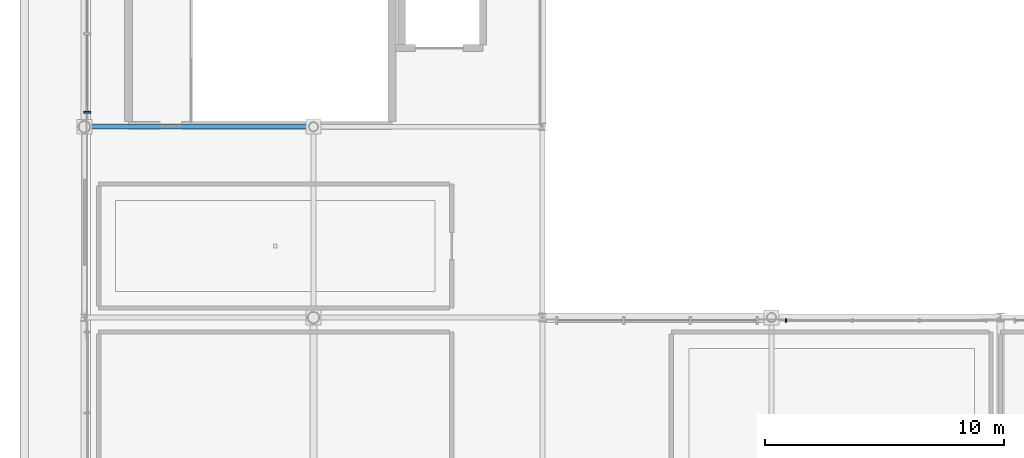
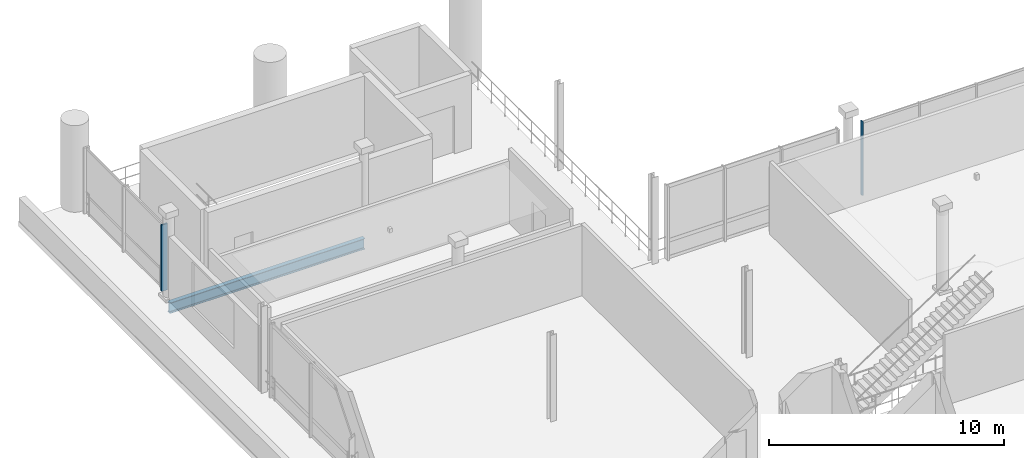
# One storey, part 17 of 59: 2 members, 1 beam, 2 elements without a shape of their own.
"""IFC4 building model written with IfcOpenShell, lengths in metres."""

from ifc_helpers import new_model, si_unit, direction, frame, origin, origin_2d, place, context, subcontext, project, spatial, rectangle, i_section, extrude, material, material_profile, profile_set, type_object, element, aggregate, save


model = new_model("IFC4")

# Units and contexts
model_context = context("Model", 3, precision=1e-05, world=origin(), true_north=direction((0.0, 1.0)))
body_context = subcontext(model_context, "Body", "Model", "MODEL_VIEW")
ifc_project = project(units=[si_unit("LENGTHUNIT", "METRE"), si_unit("AREAUNIT", "SQUARE_METRE"), si_unit("VOLUMEUNIT", "CUBIC_METRE"), si_unit("PLANEANGLEUNIT", "RADIAN"), si_unit("MASSUNIT", "GRAM", prefix="KILO")], contexts=[model_context])

# Site, building, storey
site_placement = place(None, origin())
site = spatial("IfcSite", under=ifc_project, at=site_placement, CompositionType="ELEMENT")
building_placement = place(site_placement, origin())
building = spatial("IfcBuilding", under=site, at=building_placement, Name="Danafjord Basin Convention Centre", CompositionType="ELEMENT")
storey_placement = place(building_placement, frame((0.0, 0.0, 15.89990234375)))
storey = spatial("IfcBuildingStorey", under=building, at=storey_placement, Name="L03", CompositionType="ELEMENT", Elevation=15.89990234375)

# Beam
ifc_material_1 = material(Name="Steel S355", Category="steel")
ifc_material_profile_1 = material_profile(ifc_material_1, i_section(OverallWidth=0.2099609375, OverallDepth=0.550048828125, WebThickness=0.010986328125, FlangeThickness=0.01708984375, FilletRadius=0.02392578125, at=origin_2d()), Name="IPE 550")
ifc_profile_set_1 = profile_set([ifc_material_profile_1], Name="Steel S355")
beam_type = type_object("IfcBeamType", Name="BEAM-BM-IPE550", PredefinedType="BEAM", material=ifc_profile_set_1)
beam_placement = place(storey_placement, frame((0.0, 48.0, -0.5048828125), z_axis=(1.0, 0.0, 0.0), x_axis=(0.0, 1.0, 0.0)))
element("IfcBeam", 1, at=beam_placement, inside=storey, type_object=beam_type, Name="L03 girder BM-IPE550", PredefinedType="BEAM", context=body_context, shape_type="SweptSolid", body=[
    extrude(i_section(OverallWidth=0.2099609375, OverallDepth=0.550048828125, WebThickness=0.010986328125, FlangeThickness=0.01708984375, FilletRadius=0.02392578125, at=origin_2d()), origin(), (0.0, 0.0, 1.0), 9.60009765625),
])

# Curtain wall, member
ifc_material_2 = material(Name="Anodised aluminium and triple glazing", Category="aluminium")
curtain_wall_type = type_object("IfcCurtainWallType", Name="CW-CW-TERR", PredefinedType="NOTDEFINED", material=ifc_material_2)
curtain_wall_1_placement = place(storey_placement, origin())
curtain_wall_1 = element("IfcCurtainWall", 2, at=curtain_wall_1_placement, inside=storey, type_object=curtain_wall_type, Name="L03 CW-TERR unitised curtain wall bay 75", PredefinedType="NOTDEFINED")
ifc_material_3 = material(Name="Anodised aluminium EN AW-6060", Category="aluminium")
ifc_material_profile_2 = material_profile(ifc_material_3, rectangle(XDim=0.06005859375, YDim=0.139892578125, at=origin_2d()), Name="MULL 60x140")
ifc_profile_set_2 = profile_set([ifc_material_profile_2], Name="Anodised aluminium EN AW-6060")
member_type_1 = type_object("IfcMemberType", Name="MEM-ML-140", PredefinedType="MULLION", material=ifc_profile_set_2)
member_1_placement = place(storey_placement, frame((29.39990234375, 39.8798828125, -0.02490234375), z_axis=(0.0, 0.0, 1.0), x_axis=(-1.0, 0.0, 0.0)))
member_1 = element("IfcMember", 3, at=member_1_placement, type_object=member_type_1, Name="CW-L03-075 mullion 4", PredefinedType="MULLION", context=body_context, shape_type="SweptSolid", body=[
    extrude(rectangle(XDim=0.06005859375, YDim=0.139892578125, at=origin_2d()), origin(), (0.0, 0.0, 1.0), 3.841064453125),
])
aggregate(curtain_wall_1, [member_1])

curtain_wall_2_placement = place(storey_placement, origin())
curtain_wall_2 = element("IfcCurtainWall", 4, at=curtain_wall_2_placement, inside=storey, type_object=curtain_wall_type, Name="L03 CW-TERR unitised curtain wall bay 84", PredefinedType="NOTDEFINED")
ifc_material_profile_3 = material_profile(ifc_material_3, rectangle(XDim=0.080078125, YDim=0.300048828125, at=origin_2d()), Name="MULL 80x300")
ifc_profile_set_3 = profile_set([ifc_material_profile_3], Name="Anodised aluminium EN AW-6060")
member_type_2 = type_object("IfcMemberType", Name="MEM-ML-300", PredefinedType="MULLION", material=ifc_profile_set_3)
member_2_placement = place(storey_placement, frame((0.1201171875, 48.60009765625, -0.02490234375), z_axis=(0.0, 0.0, 1.0), x_axis=(0.0, -1.0, 0.0)))
member_2 = element("IfcMember", 5, at=member_2_placement, type_object=member_type_2, Name="CW-L03-084 mullion 3", PredefinedType="MULLION", context=body_context, shape_type="SweptSolid", body=[
    extrude(rectangle(XDim=0.080078125, YDim=0.300048828125, at=origin_2d()), origin(), (0.0, 0.0, 1.0), 3.449951171875),
])
aggregate(curtain_wall_2, [member_2])

save(model, "model.ifc")
